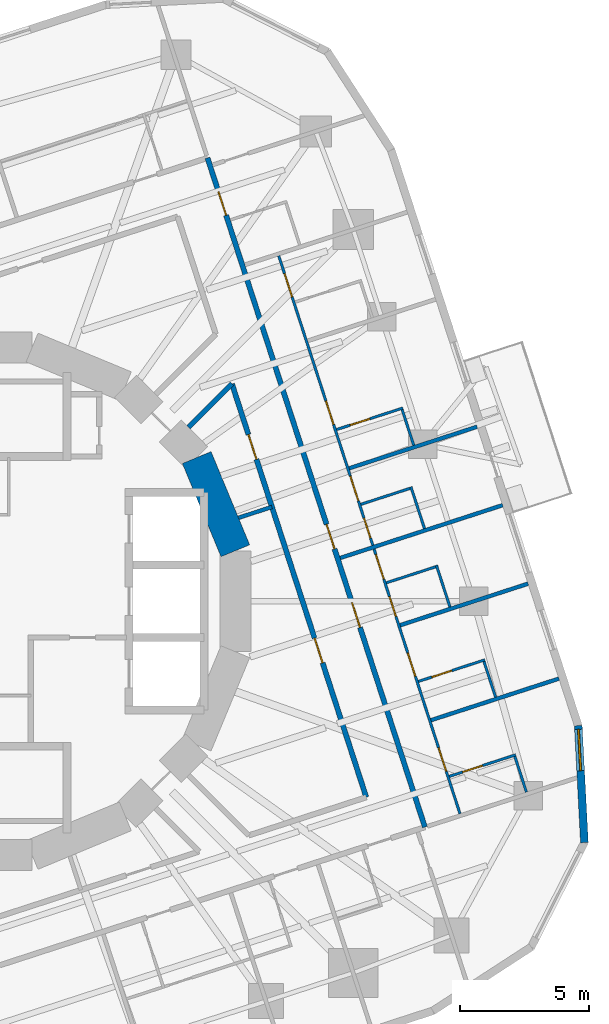
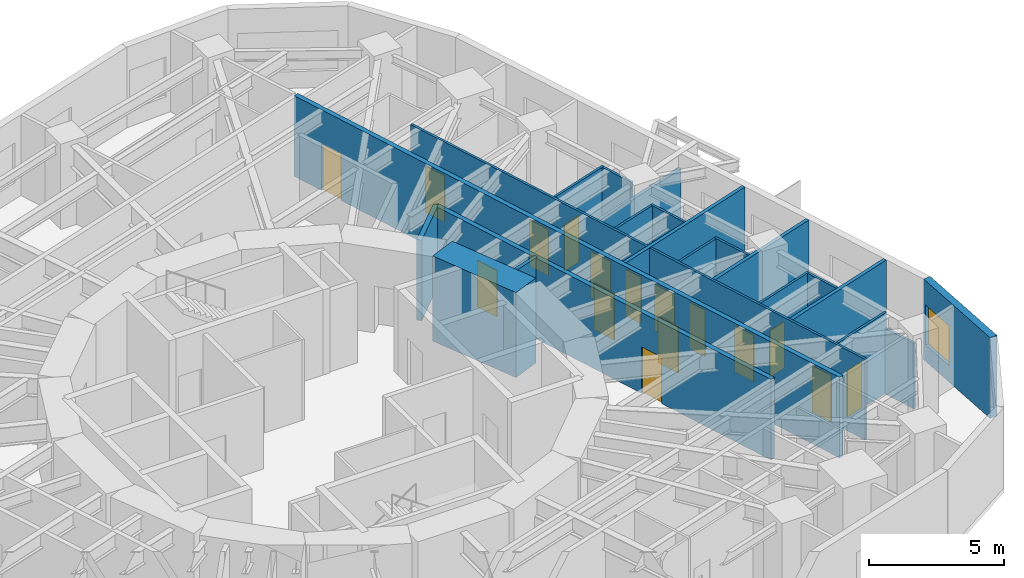
# One storey, part 8 of 12: 22 walls, 16 doors, 1 window, 17 openings.
"""IFC4 building model written with IfcOpenShell, lengths in metres."""

from ifc_helpers import new_model, si_unit, direction, frame, frame_2d, origin, place, context, subcontext, project, spatial, rectangle, extrude, material, layer, layer_set, type_object, element, fill, save


model = new_model("IFC4")

# Units and contexts
model_context = context("Model", 3, precision=1e-05, world=origin(), true_north=direction((0.0, 1.0)))
body_context = subcontext(model_context, "Body", "Model", "MODEL_VIEW")
ifc_project = project(units=[si_unit("LENGTHUNIT", "METRE"), si_unit("AREAUNIT", "SQUARE_METRE"), si_unit("VOLUMEUNIT", "CUBIC_METRE"), si_unit("PLANEANGLEUNIT", "RADIAN"), si_unit("MASSUNIT", "GRAM", prefix="KILO")], contexts=[model_context])

# Site, building, storey
site_placement = place(None, origin())
site = spatial("IfcSite", under=ifc_project, at=site_placement, CompositionType="ELEMENT")
building_placement = place(site_placement, origin())
building = spatial("IfcBuilding", under=site, at=building_placement, Name="Nakasero Lantern House", CompositionType="ELEMENT")
storey_placement = place(building_placement, frame((0.0, 0.0, 153.35009765625)))
storey = spatial("IfcBuildingStorey", under=building, at=storey_placement, Name="L37", CompositionType="ELEMENT", Elevation=153.35009765625)

# Wall, openings, doors
ifc_material_1 = material(Name="Blockwork", Category="masonry")
ifc_layer_1 = layer(ifc_material_1, 0.10009765625)
ifc_layer_set_1 = layer_set([ifc_layer_1], Name="Cluster hall wall 100")
wall_type_1 = type_object("IfcWallType", Name="Cluster hall wall 100", PredefinedType="PARTITIONING", material=ifc_layer_set_1)
wall_1_placement = place(storey_placement, frame((18.492919921875, -8.21240234375, 0.0), z_axis=(0.0, 0.0, 1.0), x_axis=(-0.309022441572, 0.951054746376, 0.0)))
wall_1 = element("IfcWall", 1, at=wall_1_placement, inside=storey, type_object=wall_type_1, Name="Cluster hall wall L37 HW0-0", PredefinedType="PARTITIONING", context=body_context, shape_type="SweptSolid", body=[
    extrude(rectangle(XDim=10.758056640625, YDim=0.10009765625, at=frame_2d((5.37890625, 0.0))), origin(), (0.0, 0.0, 1.0), 3.64990234375),
])
opening_1_placement = place(wall_1_placement, frame((9.532958984375, 0.0, 0.0)))
opening_1 = element("IfcOpeningElement", 2, at=opening_1_placement, cuts=wall_1, Name="Opening D03", PredefinedType="OPENING", context=body_context, shape_type="SweptSolid", body=[
    extrude(rectangle(XDim=1.0, YDim=2.10009765625, at=frame_2d((0.5, 1.050048828125))), frame((0.0, 0.070068359375, 0.0), z_axis=(0.0, -1.0, 0.0), x_axis=(1.0, 0.0, 0.0)), (0.0, 0.0, 1.0), 0.14013671875),
])
opening_2_placement = place(wall_1_placement, frame((8.01904296875, 0.0, 0.0)))
opening_2 = element("IfcOpeningElement", 3, at=opening_2_placement, cuts=wall_1, Name="Opening D02", PredefinedType="OPENING", context=body_context, shape_type="SweptSolid", body=[
    extrude(rectangle(XDim=0.800048828125, YDim=2.10009765625, at=frame_2d((0.39990234375, 1.050048828125))), frame((0.0, 0.070068359375, 0.0), z_axis=(0.0, -1.0, 0.0), x_axis=(1.0, 0.0, 0.0)), (0.0, 0.0, 1.0), 0.14013671875),
])
opening_3_placement = place(wall_1_placement, frame((1.72509765625, 0.0, 0.0)))
opening_3 = element("IfcOpeningElement", 4, at=opening_3_placement, cuts=wall_1, Name="Opening D01", PredefinedType="OPENING", context=body_context, shape_type="SweptSolid", body=[
    extrude(rectangle(XDim=0.949951171875, YDim=2.10009765625, at=frame_2d((0.47509765625, 1.050048828125))), frame((0.0, 0.070068359375, 0.0), z_axis=(0.0, -1.0, 0.0), x_axis=(1.0, 0.0, 0.0)), (0.0, 0.0, 1.0), 0.14013671875),
])
opening_4_placement = place(wall_1_placement, frame((5.58447265625, 0.0, 0.0)))
opening_4 = element("IfcOpeningElement", 5, at=opening_4_placement, cuts=wall_1, Name="Opening D01", PredefinedType="OPENING", context=body_context, shape_type="SweptSolid", body=[
    extrude(rectangle(XDim=0.949951171875, YDim=2.10009765625, at=frame_2d((0.47509765625, 1.050048828125))), frame((0.0, 0.070068359375, 0.0), z_axis=(0.0, -1.0, 0.0), x_axis=(1.0, 0.0, 0.0)), (0.0, 0.0, 1.0), 0.14013671875),
])
ifc_material_2 = material(Name="Timber C24", Category="wood")
door_type_1 = type_object("IfcDoorType", Name="Bedroom door FD30S 950", OperationType="SINGLE_SWING_LEFT", PredefinedType="DOOR", material=ifc_material_2)
door_1_placement = place(opening_3_placement, origin())
door_1 = element("IfcDoor", 6, at=door_1_placement, inside=storey, type_object=door_type_1, Name="Door L37 D0-00", OperationType="SINGLE_SWING_LEFT", OverallHeight=2.10009765625, OverallWidth=0.949951171875, PredefinedType="DOOR", context=body_context, shape_type="SweptSolid", body=[
    extrude(rectangle(XDim=0.949951171875, YDim=2.10009765625, at=frame_2d((0.47509765625, 1.050048828125))), frame((0.0, 0.02490234375, 0.0), z_axis=(0.0, -1.0, 0.0), x_axis=(1.0, 0.0, 0.0)), (0.0, 0.0, 1.0), 0.050048828125),
])
fill(opening_3, door_1)
door_2_placement = place(opening_4_placement, origin())
door_2 = element("IfcDoor", 7, at=door_2_placement, inside=storey, type_object=door_type_1, Name="Door L37 D0-01", OperationType="SINGLE_SWING_RIGHT", OverallHeight=2.10009765625, OverallWidth=0.949951171875, PredefinedType="DOOR", context=body_context, shape_type="SweptSolid", body=[
    extrude(rectangle(XDim=0.949951171875, YDim=2.10009765625, at=frame_2d((0.47509765625, 1.050048828125))), frame((0.0, 0.02490234375, 0.0), z_axis=(0.0, -1.0, 0.0), x_axis=(1.0, 0.0, 0.0)), (0.0, 0.0, 1.0), 0.050048828125),
])
fill(opening_4, door_2)
ifc_material_3 = material(Name="Timber C24", Category="wood")
door_type_2 = type_object("IfcDoorType", Name="En-suite door 800", OperationType="SINGLE_SWING_RIGHT", PredefinedType="DOOR", material=ifc_material_3)
door_3_placement = place(opening_2_placement, origin())
door_3 = element("IfcDoor", 8, at=door_3_placement, inside=storey, type_object=door_type_2, Name="Door L37 DSH0-0", OperationType="SINGLE_SWING_RIGHT", OverallHeight=2.10009765625, OverallWidth=0.800048828125, PredefinedType="DOOR", context=body_context, shape_type="SweptSolid", body=[
    extrude(rectangle(XDim=0.800048828125, YDim=2.10009765625, at=frame_2d((0.39990234375, 1.050048828125))), frame((0.0, 0.02490234375, 0.0), z_axis=(0.0, -1.0, 0.0), x_axis=(1.0, 0.0, 0.0)), (0.0, 0.0, 1.0), 0.050048828125),
])
fill(opening_2, door_3)
ifc_material_4 = material(Name="Timber C24", Category="wood")
door_type_3 = type_object("IfcDoorType", Name="Lounge door FD30S 1000", OperationType="SINGLE_SWING_LEFT", PredefinedType="DOOR", material=ifc_material_4)
door_4_placement = place(opening_1_placement, origin())
door_4 = element("IfcDoor", 9, at=door_4_placement, inside=storey, type_object=door_type_3, Name="Door L37 DH0-0", OperationType="SINGLE_SWING_RIGHT", OverallHeight=2.10009765625, OverallWidth=1.0, PredefinedType="DOOR", context=body_context, shape_type="SweptSolid", body=[
    extrude(rectangle(XDim=1.0, YDim=2.10009765625, at=frame_2d((0.5, 1.050048828125))), frame((0.0, 0.02490234375, 0.0), z_axis=(0.0, -1.0, 0.0), x_axis=(1.0, 0.0, 0.0)), (0.0, 0.0, 1.0), 0.050048828125),
])
fill(opening_1, door_4)

wall_2_placement = place(storey_placement, frame((15.1220703125, 2.161865234375, 0.0), z_axis=(0.0, 0.0, 1.0), x_axis=(-0.309009113534, 0.9510590769, 0.0)))
wall_2 = element("IfcWall", 10, at=wall_2_placement, inside=storey, type_object=wall_type_1, Name="Cluster hall wall L37 HW0-1", PredefinedType="PARTITIONING", context=body_context, shape_type="SweptSolid", body=[
    extrude(rectangle(XDim=11.76416015625, YDim=0.10009765625, at=frame_2d((5.882080078125, 0.0))), origin(), (0.0, 0.0, 1.0), 3.64990234375),
])
opening_5_placement = place(wall_2_placement, frame((1.81396484375, 0.0, 0.0)))
opening_5 = element("IfcOpeningElement", 11, at=opening_5_placement, cuts=wall_2, Name="Opening D03", PredefinedType="OPENING", context=body_context, shape_type="SweptSolid", body=[
    extrude(rectangle(XDim=1.0, YDim=2.10009765625, at=frame_2d((0.5, 1.050048828125))), frame((0.0, 0.070068359375, 0.0), z_axis=(0.0, -1.0, 0.0), x_axis=(1.0, 0.0, 0.0)), (0.0, 0.0, 1.0), 0.14013671875),
])
opening_6_placement = place(wall_2_placement, frame((0.300048828125, 0.0, 0.0)))
opening_6 = element("IfcOpeningElement", 12, at=opening_6_placement, cuts=wall_2, Name="Opening D02", PredefinedType="OPENING", context=body_context, shape_type="SweptSolid", body=[
    extrude(rectangle(XDim=0.800048828125, YDim=2.10009765625, at=frame_2d((0.39990234375, 1.050048828125))), frame((0.0, 0.070068359375, 0.0), z_axis=(0.0, -1.0, 0.0), x_axis=(1.0, 0.0, 0.0)), (0.0, 0.0, 1.0), 0.14013671875),
])
opening_7_placement = place(wall_2_placement, frame((4.9140625, 0.0, 0.0)))
opening_7 = element("IfcOpeningElement", 13, at=opening_7_placement, cuts=wall_2, Name="Opening D01", PredefinedType="OPENING", context=body_context, shape_type="SweptSolid", body=[
    extrude(rectangle(XDim=0.949951171875, YDim=2.10009765625, at=frame_2d((0.47509765625, 1.050048828125))), frame((0.0, 0.070068359375, 0.0), z_axis=(0.0, -1.0, 0.0), x_axis=(1.0, 0.0, 0.0)), (0.0, 0.0, 1.0), 0.14013671875),
])
opening_8_placement = place(wall_2_placement, frame((10.09521484375, 0.0, 0.0)))
opening_8 = element("IfcOpeningElement", 14, at=opening_8_placement, cuts=wall_2, Name="Opening D01", PredefinedType="OPENING", context=body_context, shape_type="SweptSolid", body=[
    extrude(rectangle(XDim=0.949951171875, YDim=2.10009765625, at=frame_2d((0.47509765625, 1.050048828125))), frame((0.0, 0.070068359375, 0.0), z_axis=(0.0, -1.0, 0.0), x_axis=(1.0, 0.0, 0.0)), (0.0, 0.0, 1.0), 0.14013671875),
])
door_5_placement = place(opening_7_placement, origin())
door_5 = element("IfcDoor", 15, at=door_5_placement, inside=storey, type_object=door_type_1, Name="Door L37 D0-04", OperationType="SINGLE_SWING_LEFT", OverallHeight=2.10009765625, OverallWidth=0.949951171875, PredefinedType="DOOR", context=body_context, shape_type="SweptSolid", body=[
    extrude(rectangle(XDim=0.949951171875, YDim=2.10009765625, at=frame_2d((0.47509765625, 1.050048828125))), frame((0.0, 0.02490234375, 0.0), z_axis=(0.0, -1.0, 0.0), x_axis=(1.0, 0.0, 0.0)), (0.0, 0.0, 1.0), 0.050048828125),
])
fill(opening_7, door_5)
door_6_placement = place(opening_8_placement, origin())
door_6 = element("IfcDoor", 16, at=door_6_placement, inside=storey, type_object=door_type_1, Name="Door L37 D0-05", OperationType="SINGLE_SWING_RIGHT", OverallHeight=2.10009765625, OverallWidth=0.949951171875, PredefinedType="DOOR", context=body_context, shape_type="SweptSolid", body=[
    extrude(rectangle(XDim=0.949951171875, YDim=2.10009765625, at=frame_2d((0.47509765625, 1.050048828125))), frame((0.0, 0.02490234375, 0.0), z_axis=(0.0, -1.0, 0.0), x_axis=(1.0, 0.0, 0.0)), (0.0, 0.0, 1.0), 0.050048828125),
])
fill(opening_8, door_6)
door_7_placement = place(opening_6_placement, origin())
door_7 = element("IfcDoor", 17, at=door_7_placement, inside=storey, type_object=door_type_2, Name="Door L37 DSH0-1", OperationType="SINGLE_SWING_LEFT", OverallHeight=2.10009765625, OverallWidth=0.800048828125, PredefinedType="DOOR", context=body_context, shape_type="SweptSolid", body=[
    extrude(rectangle(XDim=0.800048828125, YDim=2.10009765625, at=frame_2d((0.39990234375, 1.050048828125))), frame((0.0, 0.02490234375, 0.0), z_axis=(0.0, -1.0, 0.0), x_axis=(1.0, 0.0, 0.0)), (0.0, 0.0, 1.0), 0.050048828125),
])
fill(opening_6, door_7)
door_8_placement = place(opening_5_placement, origin())
door_8 = element("IfcDoor", 18, at=door_8_placement, inside=storey, type_object=door_type_3, Name="Door L37 DH0-1", OperationType="SINGLE_SWING_LEFT", OverallHeight=2.10009765625, OverallWidth=1.0, PredefinedType="DOOR", context=body_context, shape_type="SweptSolid", body=[
    extrude(rectangle(XDim=1.0, YDim=2.10009765625, at=frame_2d((0.5, 1.050048828125))), frame((0.0, 0.02490234375, 0.0), z_axis=(0.0, -1.0, 0.0), x_axis=(1.0, 0.0, 0.0)), (0.0, 0.0, 1.0), 0.050048828125),
])
fill(opening_5, door_8)

# Wall
ifc_material_5 = material(Name="Concrete C50/60", Category="concrete")
ifc_layer_2 = layer(ifc_material_5, 1.199951171875)
ifc_layer_set_2 = layer_set([ifc_layer_2], Name="Core wall 1200")
wall_type_2 = type_object("IfcWallType", Name="Core wall 1200", PredefinedType="SHEAR", material=ifc_layer_set_2)
wall_3_placement = place(storey_placement, frame((9.807861328125, 1.950927734375, 0.0), z_axis=(0.0, 0.0, 1.0), x_axis=(-0.382690736062, 0.923876507187, 0.0)))
element("IfcWall", 19, at=wall_3_placement, inside=storey, type_object=wall_type_2, Name="Core wall L37 facet 1", PredefinedType="SHEAR", context=body_context, shape_type="SweptSolid", body=[
    extrude(rectangle(XDim=3.90185546875, YDim=1.199951171875, at=frame_2d((1.950927734375, 0.0))), origin(), (0.0, 0.0, 1.0), 3.849853515625),
])

# Wall, openings, doors
ifc_material_6 = material(Name="Blockwork", Category="masonry")
ifc_layer_3 = layer(ifc_material_6, 0.199951171875)
ifc_layer_set_3 = layer_set([ifc_layer_3], Name="Corridor wall 200")
wall_type_3 = type_object("IfcWallType", Name="Corridor wall 200", PredefinedType="PARTITIONING", material=ifc_layer_set_3)
wall_4_placement = place(storey_placement, frame((17.136962890625, -8.731689453125, 0.0), z_axis=(0.0, 0.0, 1.0), x_axis=(-0.309018283835, 0.951056097323, 0.0)))
wall_4 = element("IfcWall", 20, at=wall_4_placement, inside=storey, type_object=wall_type_3, Name="Corridor wall L37 CW0", PredefinedType="PARTITIONING", context=body_context, shape_type="SweptSolid", body=[
    extrude(rectangle(XDim=27.199951171875, YDim=0.199951171875, at=frame_2d((13.60009765625, 0.0))), origin(), (0.0, 0.0, 1.0), 3.64990234375),
])
opening_9_placement = place(wall_4_placement, frame((8.118896484375, 0.0, 0.0)))
opening_9 = element("IfcOpeningElement", 21, at=opening_9_placement, cuts=wall_4, Name="Opening D14", PredefinedType="OPENING", context=body_context, shape_type="SweptSolid", body=[
    extrude(rectangle(XDim=1.0, YDim=2.10009765625, at=frame_2d((0.5, 1.050048828125))), frame((0.0, 0.119873046875, 0.0), z_axis=(0.0, -1.0, 0.0), x_axis=(1.0, 0.0, 0.0)), (0.0, 0.0, 1.0), 0.239990234375),
])
opening_10_placement = place(wall_4_placement, frame((11.30810546875, 0.0, 0.0)))
opening_10 = element("IfcOpeningElement", 22, at=opening_10_placement, cuts=wall_4, Name="Opening D14", PredefinedType="OPENING", context=body_context, shape_type="SweptSolid", body=[
    extrude(rectangle(XDim=1.0, YDim=2.10009765625, at=frame_2d((0.5, 1.050048828125))), frame((0.0, 0.119873046875, 0.0), z_axis=(0.0, -1.0, 0.0), x_axis=(1.0, 0.0, 0.0)), (0.0, 0.0, 1.0), 0.239990234375),
])
opening_11_placement = place(wall_4_placement, frame((24.872314453125, 0.0, 0.0)))
opening_11 = element("IfcOpeningElement", 23, at=opening_11_placement, cuts=wall_4, Name="Opening D01", PredefinedType="OPENING", context=body_context, shape_type="SweptSolid", body=[
    extrude(rectangle(XDim=0.949951171875, YDim=2.10009765625, at=frame_2d((0.47509765625, 1.050048828125))), frame((0.0, 0.119873046875, 0.0), z_axis=(0.0, -1.0, 0.0), x_axis=(1.0, 0.0, 0.0)), (0.0, 0.0, 1.0), 0.239990234375),
])
door_9_placement = place(opening_11_placement, origin())
door_9 = element("IfcDoor", 24, at=door_9_placement, inside=storey, type_object=door_type_1, Name="Door L37 D0-06", OperationType="SINGLE_SWING_RIGHT", OverallHeight=2.10009765625, OverallWidth=0.949951171875, PredefinedType="DOOR", context=body_context, shape_type="SweptSolid", body=[
    extrude(rectangle(XDim=0.949951171875, YDim=2.10009765625, at=frame_2d((0.47509765625, 1.050048828125))), frame((0.0, 0.02490234375, 0.0), z_axis=(0.0, -1.0, 0.0), x_axis=(1.0, 0.0, 0.0)), (0.0, 0.0, 1.0), 0.050048828125),
])
fill(opening_11, door_9)
ifc_material_7 = material(Name="Timber C24", Category="wood")
door_type_4 = type_object("IfcDoorType", Name="Cluster entrance door FD30S 1000", OperationType="SINGLE_SWING_LEFT", PredefinedType="DOOR", material=ifc_material_7)
door_10_placement = place(opening_9_placement, origin())
door_10 = element("IfcDoor", 25, at=door_10_placement, inside=storey, type_object=door_type_4, Name="Door L37 DF0-0", OperationType="SINGLE_SWING_LEFT", OverallHeight=2.10009765625, OverallWidth=1.0, PredefinedType="DOOR", context=body_context, shape_type="SweptSolid", body=[
    extrude(rectangle(XDim=1.0, YDim=2.10009765625, at=frame_2d((0.5, 1.050048828125))), frame((0.0, 0.02490234375, 0.0), z_axis=(0.0, -1.0, 0.0), x_axis=(1.0, 0.0, 0.0)), (0.0, 0.0, 1.0), 0.050048828125),
])
fill(opening_9, door_10)
door_11_placement = place(opening_10_placement, origin())
door_11 = element("IfcDoor", 26, at=door_11_placement, inside=storey, type_object=door_type_4, Name="Door L37 DF0-1", OperationType="SINGLE_SWING_LEFT", OverallHeight=2.10009765625, OverallWidth=1.0, PredefinedType="DOOR", context=body_context, shape_type="SweptSolid", body=[
    extrude(rectangle(XDim=1.0, YDim=2.10009765625, at=frame_2d((0.5, 1.050048828125))), frame((0.0, 0.02490234375, 0.0), z_axis=(0.0, -1.0, 0.0), x_axis=(1.0, 0.0, 0.0)), (0.0, 0.0, 1.0), 0.050048828125),
])
fill(opening_10, door_11)

wall_5_placement = place(storey_placement, frame((14.868896484375, -7.576171875, 0.0), z_axis=(0.0, 0.0, 1.0), x_axis=(-0.309013133095, 0.951057770893, 0.0)))
wall_5 = element("IfcWall", 27, at=wall_5_placement, inside=storey, type_object=wall_type_3, Name="Corridor wall L37 IW0-0", PredefinedType="PARTITIONING", context=body_context, shape_type="SweptSolid", body=[
    extrude(rectangle(XDim=16.80224609375, YDim=0.199951171875, at=frame_2d((8.401123046875, 0.0))), origin(), (0.0, 0.0, 1.0), 3.64990234375),
])
opening_12_placement = place(wall_5_placement, frame((5.46240234375, 0.0, 0.0)))
opening_12 = element("IfcOpeningElement", 28, at=opening_12_placement, cuts=wall_5, Name="Opening D07", PredefinedType="OPENING", context=body_context, shape_type="SweptSolid", body=[
    extrude(rectangle(XDim=1.0, YDim=2.10009765625, at=frame_2d((0.5, 1.050048828125))), frame((0.0, 0.119873046875, 0.0), z_axis=(0.0, -1.0, 0.0), x_axis=(1.0, 0.0, 0.0)), (0.0, 0.0, 1.0), 0.239990234375),
])
opening_13_placement = place(wall_5_placement, frame((13.73876953125, 0.0, 0.0)))
opening_13 = element("IfcOpeningElement", 29, at=opening_13_placement, cuts=wall_5, Name="Opening D07", PredefinedType="OPENING", context=body_context, shape_type="SweptSolid", body=[
    extrude(rectangle(XDim=1.0, YDim=2.10009765625, at=frame_2d((0.5, 1.050048828125))), frame((0.0, 0.119873046875, 0.0), z_axis=(0.0, -1.0, 0.0), x_axis=(1.0, 0.0, 0.0)), (0.0, 0.0, 1.0), 0.239990234375),
])
ifc_material_8 = material(Name="Timber C24", Category="wood")
door_type_5 = type_object("IfcDoorType", Name="Room door FD30S 1000", OperationType="SINGLE_SWING_LEFT", PredefinedType="DOOR", material=ifc_material_8)
door_12_placement = place(opening_12_placement, origin())
door_12 = element("IfcDoor", 30, at=door_12_placement, inside=storey, type_object=door_type_5, Name="Door L37 DI4", OperationType="SINGLE_SWING_LEFT", OverallHeight=2.10009765625, OverallWidth=1.0, PredefinedType="DOOR", context=body_context, shape_type="SweptSolid", body=[
    extrude(rectangle(XDim=1.0, YDim=2.10009765625, at=frame_2d((0.5, 1.050048828125))), frame((0.0, 0.02490234375, 0.0), z_axis=(0.0, -1.0, 0.0), x_axis=(1.0, 0.0, 0.0)), (0.0, 0.0, 1.0), 0.050048828125),
])
fill(opening_12, door_12)
door_13_placement = place(opening_13_placement, origin())
door_13 = element("IfcDoor", 31, at=door_13_placement, inside=storey, type_object=door_type_5, Name="Door L37 DI5", OperationType="SINGLE_SWING_RIGHT", OverallHeight=2.10009765625, OverallWidth=1.0, PredefinedType="DOOR", context=body_context, shape_type="SweptSolid", body=[
    extrude(rectangle(XDim=1.0, YDim=2.10009765625, at=frame_2d((0.5, 1.050048828125))), frame((0.0, 0.02490234375, 0.0), z_axis=(0.0, -1.0, 0.0), x_axis=(1.0, 0.0, 0.0)), (0.0, 0.0, 1.0), 0.050048828125),
])
fill(opening_13, door_13)

# Walls
wall_6_placement = place(storey_placement, frame((7.995849609375, 6.72314453125, 0.0), z_axis=(0.0, 0.0, 1.0), x_axis=(0.707158134306, 0.707055424337, 0.0)))
element("IfcWall", 32, at=wall_6_placement, inside=storey, type_object=wall_type_3, Name="Corridor wall L37 PS02b", PredefinedType="PARTITIONING", context=body_context, shape_type="SweptSolid", body=[
    extrude(rectangle(XDim=2.376953125, YDim=0.199951171875, at=frame_2d((1.1884765625, 0.0))), origin(), (0.0, 0.0, 1.0), 3.64990234375),
])
ifc_material_9 = material(Name="Blockwork", Category="masonry")
ifc_layer_4 = layer(ifc_material_9, 0.10009765625)
ifc_layer_set_4 = layer_set([ifc_layer_4], Name="En-suite wall 100")
wall_type_4 = type_object("IfcWallType", Name="En-suite wall 100", PredefinedType="PARTITIONING", material=ifc_layer_set_4)
wall_7_placement = place(storey_placement, frame((15.645263671875, 0.713623046875, 0.0), z_axis=(0.0, 0.0, 1.0), x_axis=(0.951062257173, 0.308999325213, 0.0)))
element("IfcWall", 33, at=wall_7_placement, inside=storey, type_object=wall_type_4, Name="En-suite wall L37 SS0-0", PredefinedType="PARTITIONING", context=body_context, shape_type="SweptSolid", body=[
    extrude(rectangle(XDim=2.10009765625, YDim=0.10009765625, at=frame_2d((1.050048828125, 0.0))), origin(), (0.0, 0.0, 1.0), 3.64990234375),
])
wall_8_placement = place(storey_placement, frame((18.104736328125, -0.22216796875, 0.0), z_axis=(0.0, 0.0, 1.0), x_axis=(-0.309066587596, 0.951040401051, 0.0)))
element("IfcWall", 34, at=wall_8_placement, inside=storey, type_object=wall_type_4, Name="En-suite wall L37 SE0-0", PredefinedType="PARTITIONING", context=body_context, shape_type="SweptSolid", body=[
    extrude(rectangle(XDim=1.699951171875, YDim=0.10009765625, at=frame_2d((0.85009765625, 0.0))), origin(), (0.0, 0.0, 1.0), 3.64990234375),
])
wall_9_placement = place(storey_placement, frame((14.65966796875, 3.74658203125, 0.0), z_axis=(0.0, 0.0, 1.0), x_axis=(0.951062257173, 0.308999325213, 0.0)))
element("IfcWall", 35, at=wall_9_placement, inside=storey, type_object=wall_type_4, Name="En-suite wall L37 SS0-1", PredefinedType="PARTITIONING", context=body_context, shape_type="SweptSolid", body=[
    extrude(rectangle(XDim=2.10009765625, YDim=0.10009765625, at=frame_2d((1.050048828125, 0.0))), origin(), (0.0, 0.0, 1.0), 3.64990234375),
])
wall_10_placement = place(storey_placement, frame((17.119384765625, 2.810791015625, 0.0), z_axis=(0.0, 0.0, 1.0), x_axis=(-0.309066587596, 0.951040401051, 0.0)))
element("IfcWall", 36, at=wall_10_placement, inside=storey, type_object=wall_type_4, Name="En-suite wall L37 SE0-1", PredefinedType="PARTITIONING", context=body_context, shape_type="SweptSolid", body=[
    extrude(rectangle(XDim=1.699951171875, YDim=0.10009765625, at=frame_2d((0.85009765625, 0.0))), origin(), (0.0, 0.0, 1.0), 3.64990234375),
])

# Wall, opening, door
wall_11_placement = place(storey_placement, frame((18.076904296875, -6.770263671875, 0.0), z_axis=(0.0, 0.0, 1.0), x_axis=(0.951069945308, 0.308975661068, 0.0)))
wall_11 = element("IfcWall", 37, at=wall_11_placement, inside=storey, type_object=wall_type_4, Name="En-suite wall L37 ES0-00", PredefinedType="PARTITIONING", context=body_context, shape_type="SweptSolid", body=[
    extrude(rectangle(XDim=2.699951171875, YDim=0.10009765625, at=frame_2d((1.35009765625, 0.0))), origin(), (0.0, 0.0, 1.0), 3.64990234375),
])
opening_14_placement = place(wall_11_placement, frame((0.550048828125, 0.0, 0.0)))
opening_14 = element("IfcOpeningElement", 38, at=opening_14_placement, cuts=wall_11, Name="Opening D02", PredefinedType="OPENING", context=body_context, shape_type="SweptSolid", body=[
    extrude(rectangle(XDim=0.800048828125, YDim=2.10009765625, at=frame_2d((0.39990234375, 1.050048828125))), frame((0.0, 0.070068359375, 0.0), z_axis=(0.0, -1.0, 0.0), x_axis=(1.0, 0.0, 0.0)), (0.0, 0.0, 1.0), 0.14013671875),
])
door_14_placement = place(opening_14_placement, origin())
door_14 = element("IfcDoor", 39, at=door_14_placement, inside=storey, type_object=door_type_2, Name="Door L37 DE0-00", OperationType="SINGLE_SWING_LEFT", OverallHeight=2.10009765625, OverallWidth=0.800048828125, PredefinedType="DOOR", context=body_context, shape_type="SweptSolid", body=[
    extrude(rectangle(XDim=0.800048828125, YDim=2.10009765625, at=frame_2d((0.39990234375, 1.050048828125))), frame((0.0, 0.02490234375, 0.0), z_axis=(0.0, -1.0, 0.0), x_axis=(1.0, 0.0, 0.0)), (0.0, 0.0, 1.0), 0.050048828125),
])
fill(opening_14, door_14)

# Wall
wall_12_placement = place(storey_placement, frame((21.060791015625, -7.3779296875, 0.0), z_axis=(0.0, 0.0, 1.0), x_axis=(-0.309146989542, 0.951014268482, 0.0)))
element("IfcWall", 40, at=wall_12_placement, inside=storey, type_object=wall_type_4, Name="En-suite wall L37 EE0-00", PredefinedType="PARTITIONING", context=body_context, shape_type="SweptSolid", body=[
    extrude(rectangle(XDim=1.449951171875, YDim=0.10009765625, at=frame_2d((0.72509765625, 0.0))), origin(), (0.0, 0.0, 1.0), 2.96630859375),
])

# Wall, opening, door
wall_13_placement = place(storey_placement, frame((16.88427734375, -3.099609375, 0.0), z_axis=(0.0, 0.0, 1.0), x_axis=(0.951069945308, 0.308975661068, 0.0)))
wall_13 = element("IfcWall", 41, at=wall_13_placement, inside=storey, type_object=wall_type_4, Name="En-suite wall L37 ES0-01", PredefinedType="PARTITIONING", context=body_context, shape_type="SweptSolid", body=[
    extrude(rectangle(XDim=2.699951171875, YDim=0.10009765625, at=frame_2d((1.35009765625, 0.0))), origin(), (0.0, 0.0, 1.0), 3.64990234375),
])
opening_15_placement = place(wall_13_placement, frame((0.550048828125, 0.0, 0.0)))
opening_15 = element("IfcOpeningElement", 42, at=opening_15_placement, cuts=wall_13, Name="Opening D02", PredefinedType="OPENING", context=body_context, shape_type="SweptSolid", body=[
    extrude(rectangle(XDim=0.800048828125, YDim=2.10009765625, at=frame_2d((0.39990234375, 1.050048828125))), frame((0.0, 0.070068359375, 0.0), z_axis=(0.0, -1.0, 0.0), x_axis=(1.0, 0.0, 0.0)), (0.0, 0.0, 1.0), 0.14013671875),
])
door_15_placement = place(opening_15_placement, origin())
door_15 = element("IfcDoor", 43, at=door_15_placement, inside=storey, type_object=door_type_2, Name="Door L37 DE0-01", OperationType="SINGLE_SWING_LEFT", OverallHeight=2.10009765625, OverallWidth=0.800048828125, PredefinedType="DOOR", context=body_context, shape_type="SweptSolid", body=[
    extrude(rectangle(XDim=0.800048828125, YDim=2.10009765625, at=frame_2d((0.39990234375, 1.050048828125))), frame((0.0, 0.02490234375, 0.0), z_axis=(0.0, -1.0, 0.0), x_axis=(1.0, 0.0, 0.0)), (0.0, 0.0, 1.0), 0.050048828125),
])
fill(opening_15, door_15)

# Wall
wall_14_placement = place(storey_placement, frame((19.8681640625, -3.70751953125, 0.0), z_axis=(0.0, 0.0, 1.0), x_axis=(-0.309097492581, 0.951030357076, 0.0)))
element("IfcWall", 44, at=wall_14_placement, inside=storey, type_object=wall_type_4, Name="En-suite wall L37 EE0-01", PredefinedType="PARTITIONING", context=body_context, shape_type="SweptSolid", body=[
    extrude(rectangle(XDim=1.4501953125, YDim=0.10009765625, at=frame_2d((0.72509765625, 0.0))), origin(), (0.0, 0.0, 1.0), 3.64990234375),
])

# Wall, opening, door
wall_15_placement = place(storey_placement, frame((13.720703125, 6.63671875, 0.0), z_axis=(0.0, 0.0, 1.0), x_axis=(0.951043371037, 0.309057448393, 0.0)))
wall_15 = element("IfcWall", 45, at=wall_15_placement, inside=storey, type_object=wall_type_4, Name="En-suite wall L37 ES0-04", PredefinedType="PARTITIONING", context=body_context, shape_type="SweptSolid", body=[
    extrude(rectangle(XDim=2.699951171875, YDim=0.10009765625, at=frame_2d((1.35009765625, 0.0))), origin(), (0.0, 0.0, 1.0), 3.64990234375),
])
opening_16_placement = place(wall_15_placement, frame((0.550048828125, 0.0, 0.0)))
opening_16 = element("IfcOpeningElement", 46, at=opening_16_placement, cuts=wall_15, Name="Opening D02", PredefinedType="OPENING", context=body_context, shape_type="SweptSolid", body=[
    extrude(rectangle(XDim=0.800048828125, YDim=2.10009765625, at=frame_2d((0.39990234375, 1.050048828125))), frame((0.0, 0.070068359375, 0.0), z_axis=(0.0, -1.0, 0.0), x_axis=(1.0, 0.0, 0.0)), (0.0, 0.0, 1.0), 0.14013671875),
])
door_16_placement = place(opening_16_placement, origin())
door_16 = element("IfcDoor", 47, at=door_16_placement, inside=storey, type_object=door_type_2, Name="Door L37 DE0-04", OperationType="SINGLE_SWING_LEFT", OverallHeight=2.10009765625, OverallWidth=0.800048828125, PredefinedType="DOOR", context=body_context, shape_type="SweptSolid", body=[
    extrude(rectangle(XDim=0.800048828125, YDim=2.10009765625, at=frame_2d((0.39990234375, 1.050048828125))), frame((0.0, 0.02490234375, 0.0), z_axis=(0.0, -1.0, 0.0), x_axis=(1.0, 0.0, 0.0)), (0.0, 0.0, 1.0), 0.050048828125),
])
fill(opening_16, door_16)

# Wall
wall_16_placement = place(storey_placement, frame((16.70458984375, 6.029052734375, 0.0), z_axis=(0.0, 0.0, 1.0), x_axis=(-0.309097492581, 0.951030357076, 0.0)))
element("IfcWall", 48, at=wall_16_placement, inside=storey, type_object=wall_type_4, Name="En-suite wall L37 EE0-04", PredefinedType="PARTITIONING", context=body_context, shape_type="SweptSolid", body=[
    extrude(rectangle(XDim=1.4501953125, YDim=0.10009765625, at=frame_2d((0.72509765625, 0.0))), origin(), (0.0, 0.0, 1.0), 3.64990234375),
])

# Wall, opening, window
ifc_material_10 = material(Name="Aluminium rainscreen on blockwork", Category="masonry")
ifc_layer_5 = layer(ifc_material_10, 0.300048828125)
ifc_layer_set_5 = layer_set([ifc_layer_5], Name="Facade wall 300")
wall_type_5 = type_object("IfcWallType", Name="Facade wall 300", PredefinedType="SOLIDWALL", material=ifc_layer_set_5)
wall_17_placement = place(storey_placement, frame((23.3017578125, -9.3310546875, 0.0), z_axis=(0.0, 0.0, 1.0), x_axis=(-0.052338164079, 0.998629419044, 0.0)))
wall_17 = element("IfcWall", 49, at=wall_17_placement, inside=storey, type_object=wall_type_5, Name="Facade wall L37 FW3C3", PredefinedType="SOLIDWALL", context=body_context, shape_type="SweptSolid", body=[
    extrude(rectangle(XDim=4.529296875, YDim=0.300048828125, at=frame_2d((2.2646484375, 0.0))), origin(), (0.0, 0.0, 1.0), 3.64990234375),
])
opening_17_placement = place(wall_17_placement, frame((2.784912109375, 0.0, 0.75)))
opening_17 = element("IfcOpeningElement", 50, at=opening_17_placement, cuts=wall_17, Name="Opening W01", PredefinedType="OPENING", context=body_context, shape_type="SweptSolid", body=[
    extrude(rectangle(XDim=1.60009765625, YDim=1.800048828125, at=frame_2d((0.800048828125, 0.89990234375))), frame((0.0, 0.169921875, 0.0), z_axis=(0.0, -1.0, 0.0), x_axis=(1.0, 0.0, 0.0)), (0.0, 0.0, 1.0), 0.340087890625),
])
ifc_material_11 = material(Name="Aluminium 6063-T6 and glass", Category="aluminium")
window_type = type_object("IfcWindowType", Name="Bedroom window 1600x1800", PartitioningType="SINGLE_PANEL", PredefinedType="WINDOW", material=ifc_material_11)
window_placement = place(opening_17_placement, origin())
window = element("IfcWindow", 51, at=window_placement, inside=storey, type_object=window_type, Name="Window L37 WN0-00", OverallHeight=1.800048828125, OverallWidth=1.60009765625, PartitioningType="SINGLE_PANEL", PredefinedType="WINDOW", context=body_context, shape_type="SweptSolid", body=[
    extrude(rectangle(XDim=1.60009765625, YDim=1.800048828125, at=frame_2d((0.800048828125, 0.89990234375))), frame((0.0, 0.030029296875, 0.0), z_axis=(0.0, -1.0, 0.0), x_axis=(1.0, 0.0, 0.0)), (0.0, 0.0, 1.0), 0.06005859375),
])
fill(opening_17, window)

# Walls
ifc_material_12 = material(Name="Blockwork", Category="masonry")
ifc_layer_6 = layer(ifc_material_12, 0.14990234375)
ifc_layer_set_6 = layer_set([ifc_layer_6], Name="Party wall 150")
wall_type_6 = type_object("IfcWallType", Name="Party wall 150", PredefinedType="PARTITIONING", material=ifc_layer_set_6)
for number, where, z_axis, x_axis, name in (
    (52, (17.370849609375, -4.59765625, 0.0), (0.0, 0.0, 1.0), (0.951055112834, 0.309021313752, 0.0), "Party wall L37 PW0-01"),
    (53, (16.17822265625, -0.927001953125, 0.0), (0.0, 0.0, 1.0), (0.951055112834, 0.309021313752, 0.0), "Party wall L37 PW0-02"),
):
    element("IfcWall", number, at=place(storey_placement, frame(where, z_axis=z_axis, x_axis=x_axis)), inside=storey, type_object=wall_type_6, Name=name, PredefinedType="PARTITIONING", context=body_context, shape_type="SweptSolid", body=[
        extrude(rectangle(XDim=5.2001953125, YDim=0.14990234375, at=frame_2d((2.60009765625, 0.0))), origin(), (0.0, 0.0, 1.0), 3.64990234375),
    ])
wall_18_placement = place(storey_placement, frame((13.861328125, 1.67333984375, 0.0), z_axis=(0.0, 0.0, 1.0), x_axis=(0.951056628375, 0.309016649428, 0.0)))
element("IfcWall", 54, at=wall_18_placement, inside=storey, type_object=wall_type_6, Name="Party wall L37 PW0-03", PredefinedType="PARTITIONING", context=body_context, shape_type="SweptSolid", body=[
    extrude(rectangle(XDim=6.60009765625, YDim=0.14990234375, at=frame_2d((3.300048828125, 0.0))), origin(), (0.0, 0.0, 1.0), 3.64990234375),
])
wall_19_placement = place(storey_placement, frame((14.207275390625, 5.138916015625, 0.0), z_axis=(0.0, 0.0, 1.0), x_axis=(0.951055112834, 0.309021313752, 0.0)))
element("IfcWall", 55, at=wall_19_placement, inside=storey, type_object=wall_type_6, Name="Party wall L37 PW0-04", PredefinedType="PARTITIONING", context=body_context, shape_type="SweptSolid", body=[
    extrude(rectangle(XDim=5.2001953125, YDim=0.14990234375, at=frame_2d((2.60009765625, 0.0))), origin(), (0.0, 0.0, 1.0), 2.96630859375),
])
wall_20_placement = place(storey_placement, frame((11.222412109375, 3.646484375, 0.0), z_axis=(0.0, 0.0, 1.0), x_axis=(-0.951026153486, -0.309110425878, 0.0)))
element("IfcWall", 56, at=wall_20_placement, inside=storey, type_object=wall_type_6, Name="Party wall L37 IM0", PredefinedType="PARTITIONING", context=body_context, shape_type="SweptSolid", body=[
    extrude(rectangle(XDim=1.360107421875, YDim=0.14990234375, at=frame_2d((0.68017578125, 0.0))), origin(), (0.0, 0.0, 1.0), 3.64990234375),
])

save(model, "model.ifc")
